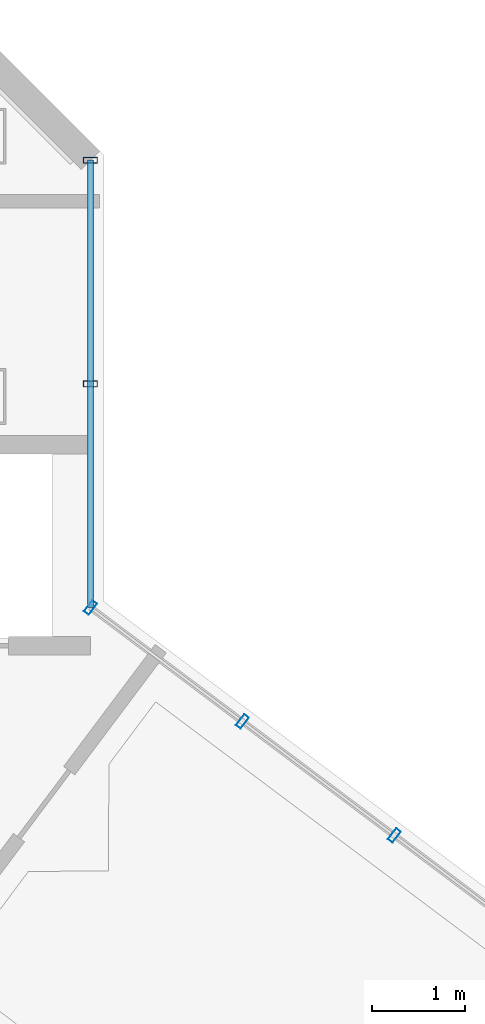
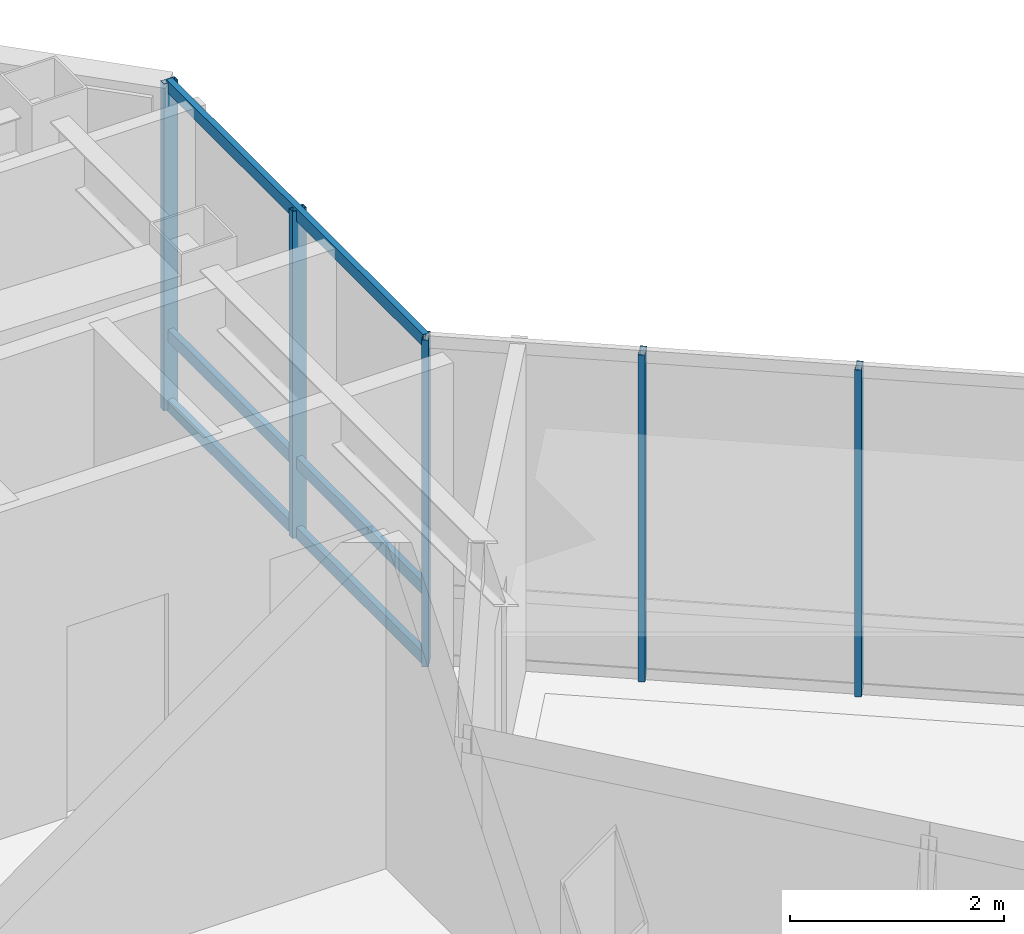
# One storey, part 19 of 29: 8 members, 2 elements without a shape of their own.
"""IFC4 building model written with IfcOpenShell, lengths in metres."""

from ifc_helpers import new_model, si_unit, direction, frame, origin, origin_2d, place, context, subcontext, project, spatial, hollow_rectangle, extrude, material, layer, layer_set, material_profile, profile_set, type_object, element, aggregate, save


model = new_model("IFC4")

# Units and contexts
model_context = context("Model", 3, precision=1e-05, world=origin(), true_north=direction((0.0, 1.0)))
body_context = subcontext(model_context, "Body", "Model", "MODEL_VIEW")
ifc_project = project(units=[si_unit("LENGTHUNIT", "METRE"), si_unit("AREAUNIT", "SQUARE_METRE"), si_unit("VOLUMEUNIT", "CUBIC_METRE"), si_unit("PLANEANGLEUNIT", "RADIAN"), si_unit("MASSUNIT", "GRAM", prefix="KILO")], contexts=[model_context])

# Site, building, storey
site_placement = place(None, origin())
site = spatial("IfcSite", under=ifc_project, at=site_placement, CompositionType="ELEMENT")
building_placement = place(site_placement, origin())
building = spatial("IfcBuilding", under=site, at=building_placement, Name="Hatsunagi Terrace Concourse", CompositionType="ELEMENT")
storey_placement = place(building_placement, frame((0.0, 0.0, 277.949951171875)))
storey = spatial("IfcBuildingStorey", under=building, at=storey_placement, Name="L73", CompositionType="ELEMENT", Elevation=277.949951171875)

# Curtain wall, members
ifc_material_1 = material(Name="Anodised Aluminium Alloy 6063-T5", Category="aluminium")
ifc_layer = layer(ifc_material_1, 0.199951171875)
ifc_layer_set = layer_set([ifc_layer], Name="CrownWintergarden_CW06")
curtain_wall_type = type_object("IfcCurtainWallType", Name="CrownWintergarden_CW06", PredefinedType="NOTDEFINED", material=ifc_layer_set)
curtain_wall_1_placement = place(storey_placement, origin())
curtain_wall_1 = element("IfcCurtainWall", 1, at=curtain_wall_1_placement, inside=storey, type_object=curtain_wall_type, Name="Unitised Curtain Wall CW-06 CW-L73-01", PredefinedType="NOTDEFINED")
ifc_material_2 = material(Name="Anodised Aluminium Alloy 6063-T5", Category="aluminium")
ifc_material_profile_1 = material_profile(ifc_material_2, hollow_rectangle(XDim=0.06494140625, YDim=0.14990234375, WallThickness=0.00390625, at=origin_2d()), Name="ALU-MUL-150x65x4")
ifc_profile_set_1 = profile_set([ifc_material_profile_1], Name="Anodised Aluminium Alloy 6063-T5")
member_type_1 = type_object("IfcMemberType", Name="CurtainWallMullion_Crown_150x65", PredefinedType="MULLION", material=ifc_profile_set_1)
member_1_placement = place(storey_placement, frame((44.860107421875, 40.72998046875, 0.0), z_axis=(0.0, 0.0, 1.0), x_axis=(0.800023013105, -0.599969314634, 0.0)))
member_1 = element("IfcMember", 2, at=member_1_placement, type_object=member_type_1, Name="Curtain Wall Mullion MUL-03", PredefinedType="MULLION", context=body_context, shape_type="SweptSolid", body=[
    extrude(hollow_rectangle(XDim=0.06494140625, YDim=0.14990234375, WallThickness=0.00390625, at=origin_2d()), origin(), (0.0, 0.0, 1.0), 3.739990234375),
])
member_2_placement = place(storey_placement, frame((46.493896484375, 39.5048828125, 0.0), z_axis=(0.0, 0.0, 1.0), x_axis=(0.800023013105, -0.599969314634, 0.0)))
member_2 = element("IfcMember", 3, at=member_2_placement, type_object=member_type_1, Name="Curtain Wall Mullion MUL-03", PredefinedType="MULLION", context=body_context, shape_type="SweptSolid", body=[
    extrude(hollow_rectangle(XDim=0.06494140625, YDim=0.14990234375, WallThickness=0.00390625, at=origin_2d()), origin(), (0.0, 0.0, 1.0), 3.739990234375),
])
member_3_placement = place(storey_placement, frame((48.1279296875, 38.279052734375, 0.0), z_axis=(0.0, 0.0, 1.0), x_axis=(0.800023013105, -0.599969314634, 0.0)))
member_3 = element("IfcMember", 4, at=member_3_placement, type_object=member_type_1, Name="Curtain Wall Mullion MUL-03", PredefinedType="MULLION", context=body_context, shape_type="SweptSolid", body=[
    extrude(hollow_rectangle(XDim=0.06494140625, YDim=0.14990234375, WallThickness=0.00390625, at=origin_2d()), origin(), (0.0, 0.0, 1.0), 3.739990234375),
])
aggregate(curtain_wall_1, [member_1, member_2, member_3])

curtain_wall_2_placement = place(storey_placement, origin())
curtain_wall_2 = element("IfcCurtainWall", 5, at=curtain_wall_2_placement, inside=storey, type_object=curtain_wall_type, Name="Unitised Curtain Wall CW-06 CW-L73-11", PredefinedType="NOTDEFINED")
member_4_placement = place(storey_placement, frame((44.860107421875, 45.5419921875, 0.0), z_axis=(0.0, 0.0, 1.0), x_axis=(0.0, -1.0, 0.0)))
member_4 = element("IfcMember", 6, at=member_4_placement, type_object=member_type_1, Name="Curtain Wall Mullion MUL-03", PredefinedType="MULLION", context=body_context, shape_type="SweptSolid", body=[
    extrude(hollow_rectangle(XDim=0.06494140625, YDim=0.14990234375, WallThickness=0.00390625, at=origin_2d()), origin(), (0.0, 0.0, 1.0), 3.739990234375),
])
member_5_placement = place(storey_placement, frame((44.860107421875, 43.135986328125, 0.0), z_axis=(0.0, 0.0, 1.0), x_axis=(0.0, -1.0, 0.0)))
member_5 = element("IfcMember", 7, at=member_5_placement, type_object=member_type_1, Name="Curtain Wall Mullion MUL-03", PredefinedType="MULLION", context=body_context, shape_type="SweptSolid", body=[
    extrude(hollow_rectangle(XDim=0.06494140625, YDim=0.14990234375, WallThickness=0.00390625, at=origin_2d()), origin(), (0.0, 0.0, 1.0), 3.739990234375),
])
ifc_material_3 = material(Name="Anodised Aluminium Alloy 6063-T5", Category="aluminium")
ifc_material_profile_2 = material_profile(ifc_material_3, hollow_rectangle(XDim=0.06494140625, YDim=0.139892578125, WallThickness=0.00390625, at=origin_2d()), Name="ALU-TRN-140x65x4")
ifc_profile_set_2 = profile_set([ifc_material_profile_2], Name="Anodised Aluminium Alloy 6063-T5")
member_type_2 = type_object("IfcMemberType", Name="CurtainWallTransom_140x65", PredefinedType="USERDEFINED", material=ifc_profile_set_2)
member_6_placement = place(storey_placement, frame((44.860107421875, 45.5419921875, 0.050048828125), z_axis=(0.0, -1.0, 0.0), x_axis=(1.0, 0.0, 0.0)))
member_6 = element("IfcMember", 8, at=member_6_placement, type_object=member_type_2, Name="Curtain Wall Transom TRN-02", ObjectType="TRANSOM", PredefinedType="USERDEFINED", context=body_context, shape_type="SweptSolid", body=[
    extrude(hollow_rectangle(XDim=0.06494140625, YDim=0.139892578125, WallThickness=0.00390625, at=origin_2d()), origin(), (0.0, 0.0, 1.0), 4.81201171875),
])
member_7_placement = place(storey_placement, frame((44.860107421875, 45.5419921875, 0.85009765625), z_axis=(0.0, -1.0, 0.0), x_axis=(1.0, 0.0, 0.0)))
member_7 = element("IfcMember", 9, at=member_7_placement, type_object=member_type_2, Name="Curtain Wall Transom TRN-02", ObjectType="TRANSOM", PredefinedType="USERDEFINED", context=body_context, shape_type="SweptSolid", body=[
    extrude(hollow_rectangle(XDim=0.06494140625, YDim=0.139892578125, WallThickness=0.00390625, at=origin_2d()), origin(), (0.0, 0.0, 1.0), 4.81201171875),
])
member_8_placement = place(storey_placement, frame((44.860107421875, 45.5419921875, 3.68994140625), z_axis=(0.0, -1.0, 0.0), x_axis=(1.0, 0.0, 0.0)))
member_8 = element("IfcMember", 10, at=member_8_placement, type_object=member_type_2, Name="Curtain Wall Transom TRN-02", ObjectType="TRANSOM", PredefinedType="USERDEFINED", context=body_context, shape_type="SweptSolid", body=[
    extrude(hollow_rectangle(XDim=0.06494140625, YDim=0.139892578125, WallThickness=0.00390625, at=origin_2d()), origin(), (0.0, 0.0, 1.0), 4.81201171875),
])
aggregate(curtain_wall_2, [member_4, member_5, member_6, member_7, member_8])

save(model, "model.ifc")
